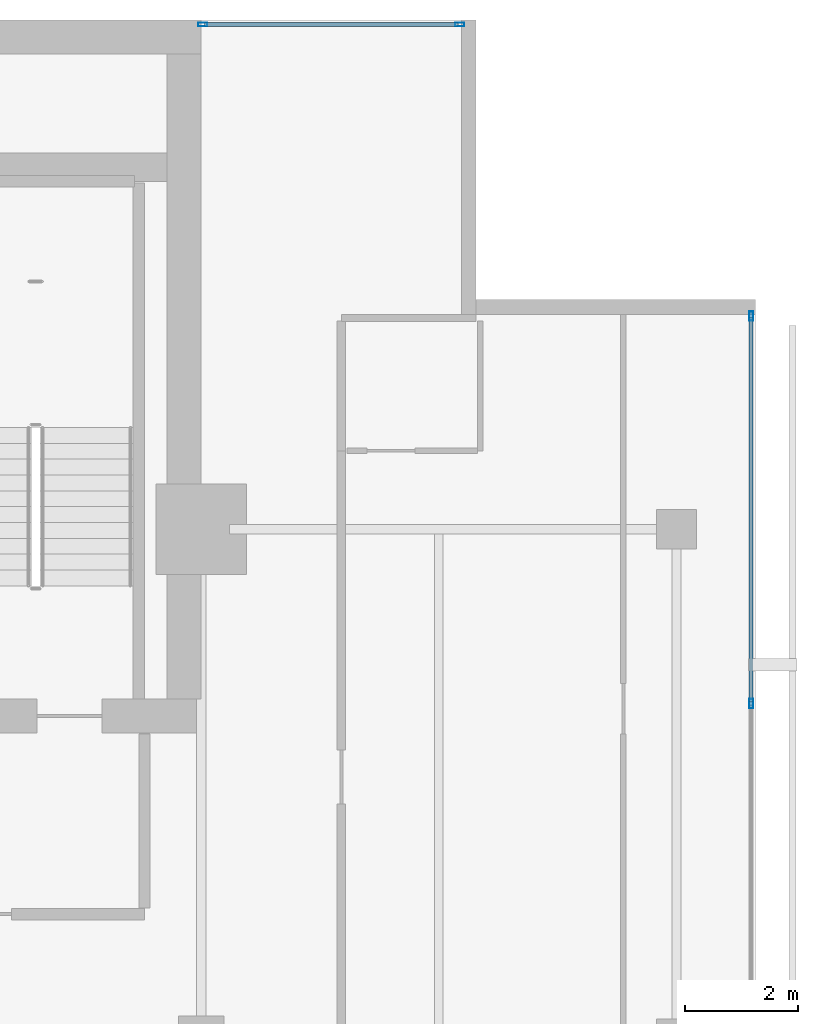
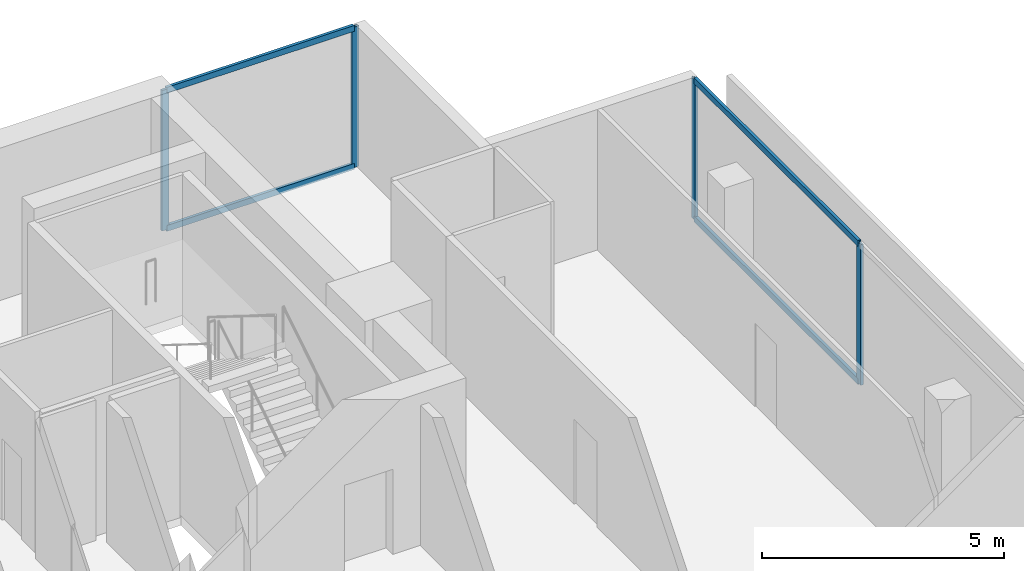
# One storey, part 18 of 26: 8 members, 2 elements without a shape of their own.
"""IFC4 building model written with IfcOpenShell, lengths in metres."""

from ifc_helpers import new_model, si_unit, direction, frame, origin, origin_2d, place, context, subcontext, project, spatial, hollow_rectangle, extrude, material, layer, layer_set, material_profile, profile_set, type_object, element, aggregate, save


model = new_model("IFC4")

# Units and contexts
model_context = context("Model", 3, precision=1e-05, world=origin(), true_north=direction((0.0, 1.0)))
body_context = subcontext(model_context, "Body", "Model", "MODEL_VIEW")
ifc_project = project(units=[si_unit("LENGTHUNIT", "METRE"), si_unit("AREAUNIT", "SQUARE_METRE"), si_unit("VOLUMEUNIT", "CUBIC_METRE"), si_unit("PLANEANGLEUNIT", "RADIAN"), si_unit("MASSUNIT", "GRAM", prefix="KILO")], contexts=[model_context])

# Site, building, storey
site_placement = place(None, origin())
site = spatial("IfcSite", under=ifc_project, at=site_placement, CompositionType="ELEMENT")
building_placement = place(site_placement, origin())
building = spatial("IfcBuilding", under=site, at=building_placement, Name="Maruvema Waterfront Hotel and Observation Tower", CompositionType="ELEMENT")
storey_placement = place(building_placement, frame((0.0, 0.0, 312.550048828125)))
storey = spatial("IfcBuildingStorey", under=building, at=storey_placement, Name="L77", CompositionType="ELEMENT", Elevation=312.550048828125)

# Curtain wall, members
ifc_material_1 = material(Name="Anodised bronze aluminium and solar-control low-E IGU", Category="aluminium")
ifc_layer = layer(ifc_material_1, 0.159912109375, Name="Zone 3 Champagne Inner Thermal Curtain Wall System CW-04")
ifc_layer_set = layer_set([ifc_layer], Name="Anodised bronze aluminium and solar-control low-E IGU")
curtain_wall_type = type_object("IfcCurtainWallType", Name="Zone 3 Champagne Inner Thermal Curtain Wall System CW-04", PredefinedType="USERDEFINED", material=ifc_layer_set)
curtain_wall_1_placement = place(storey_placement, origin())
curtain_wall_1 = element("IfcCurtainWall", 1, at=curtain_wall_1_placement, inside=storey, type_object=curtain_wall_type, Name="L77 Curtain Wall CW-L77-E", ObjectType="UNITISED CURTAIN WALL", PredefinedType="USERDEFINED")
ifc_material_2 = material(Name="Anodised architectural bronze aluminium", Category="aluminium")
ifc_material_profile_1 = material_profile(ifc_material_2, hollow_rectangle(XDim=0.070068359375, YDim=0.14990234375, WallThickness=0.00390625, at=origin_2d()), Name="ALU-T70x150")
ifc_profile_set_1 = profile_set([ifc_material_profile_1], Name="Anodised architectural bronze aluminium")
member_type_1 = type_object("IfcMemberType", Name="Curtain Wall Horizontal Transom ALU-T70x150", PredefinedType="USERDEFINED", material=ifc_profile_set_1)
member_1_placement = place(storey_placement, frame((60.1201171875, 41.949951171875, 0.030029296875), z_axis=(0.0, 1.0, 0.0), x_axis=(-1.0, 0.0, 0.0)))
member_1 = element("IfcMember", 2, at=member_1_placement, type_object=member_type_1, Name="CW-04 transom 5.1", ObjectType="TRANSOM", PredefinedType="USERDEFINED", context=body_context, shape_type="SweptSolid", body=[
    extrude(hollow_rectangle(XDim=0.070068359375, YDim=0.14990234375, WallThickness=0.00390625, at=origin_2d()), origin(), (0.0, 0.0, 1.0), 6.7900390625),
])
member_2_placement = place(storey_placement, frame((60.1201171875, 41.949951171875, 3.52001953125), z_axis=(0.0, 1.0, 0.0), x_axis=(-1.0, 0.0, 0.0)))
member_2 = element("IfcMember", 3, at=member_2_placement, type_object=member_type_1, Name="CW-04 transom 5.2", ObjectType="TRANSOM", PredefinedType="USERDEFINED", context=body_context, shape_type="SweptSolid", body=[
    extrude(hollow_rectangle(XDim=0.070068359375, YDim=0.14990234375, WallThickness=0.00390625, at=origin_2d()), origin(), (0.0, 0.0, 1.0), 6.7900390625),
])

curtain_wall_2_placement = place(storey_placement, origin())
curtain_wall_2 = element("IfcCurtainWall", 4, at=curtain_wall_2_placement, inside=storey, type_object=curtain_wall_type, Name="L77 Curtain Wall CW-L77-NE", ObjectType="UNITISED CURTAIN WALL", PredefinedType="USERDEFINED")
member_3_placement = place(storey_placement, frame((54.93994140625, 53.919921875, 0.030029296875), z_axis=(-1.0, 0.0, 0.0), x_axis=(0.0, -1.0, 0.0)))
member_3 = element("IfcMember", 5, at=member_3_placement, type_object=member_type_1, Name="CW-04 transom 1.1", ObjectType="TRANSOM", PredefinedType="USERDEFINED", context=body_context, shape_type="SweptSolid", body=[
    extrude(hollow_rectangle(XDim=0.070068359375, YDim=0.14990234375, WallThickness=0.00390625, at=origin_2d()), origin(), (0.0, 0.0, 1.0), 4.47998046875),
])
member_4_placement = place(storey_placement, frame((54.93994140625, 53.919921875, 3.52001953125), z_axis=(-1.0, 0.0, 0.0), x_axis=(0.0, -1.0, 0.0)))
member_4 = element("IfcMember", 6, at=member_4_placement, type_object=member_type_1, Name="CW-04 transom 1.2", ObjectType="TRANSOM", PredefinedType="USERDEFINED", context=body_context, shape_type="SweptSolid", body=[
    extrude(hollow_rectangle(XDim=0.070068359375, YDim=0.14990234375, WallThickness=0.00390625, at=origin_2d()), origin(), (0.0, 0.0, 1.0), 4.47998046875),
])

# Member
ifc_material_3 = material(Name="Anodised architectural bronze aluminium", Category="aluminium")
ifc_material_profile_2 = material_profile(ifc_material_3, hollow_rectangle(XDim=0.06494140625, YDim=0.1650390625, WallThickness=0.00390625, at=origin_2d()), Name="ALU-M65x165")
ifc_profile_set_2 = profile_set([ifc_material_profile_2], Name="Anodised architectural bronze aluminium")
member_type_2 = type_object("IfcMemberType", Name="Curtain Wall Primary Mullion ALU-M65x165", PredefinedType="MULLION", material=ifc_profile_set_2)
member_5_placement = place(storey_placement, frame((60.1201171875, 41.919921875, 0.0), z_axis=(0.0, 0.0, 1.0), x_axis=(-1.0, 0.0, 0.0)))
member_5 = element("IfcMember", 7, at=member_5_placement, type_object=member_type_2, Name="CW-04 mullion 5", PredefinedType="MULLION", context=body_context, shape_type="SweptSolid", body=[
    extrude(hollow_rectangle(XDim=0.06494140625, YDim=0.1650390625, WallThickness=0.00390625, at=origin_2d()), origin(), (0.0, 0.0, 1.0), 3.550048828125),
])

member_6_placement = place(storey_placement, frame((60.1201171875, 48.77001953125, 0.0), z_axis=(0.0, 0.0, 1.0), x_axis=(-1.0, 0.0, 0.0)))
member_6 = element("IfcMember", 8, at=member_6_placement, type_object=member_type_2, Name="CW-04 mullion 6", PredefinedType="MULLION", context=body_context, shape_type="SweptSolid", body=[
    extrude(hollow_rectangle(XDim=0.06494140625, YDim=0.1650390625, WallThickness=0.00390625, at=origin_2d()), origin(), (0.0, 0.0, 1.0), 3.550048828125),
])

aggregate(curtain_wall_1, [member_5, member_6, member_1, member_2])

member_7_placement = place(storey_placement, frame((54.969970703125, 53.919921875, 0.0), z_axis=(0.0, 0.0, 1.0), x_axis=(0.0, -1.0, 0.0)))
member_7 = element("IfcMember", 9, at=member_7_placement, type_object=member_type_2, Name="CW-04 mullion 1", PredefinedType="MULLION", context=body_context, shape_type="SweptSolid", body=[
    extrude(hollow_rectangle(XDim=0.06494140625, YDim=0.1650390625, WallThickness=0.00390625, at=origin_2d()), origin(), (0.0, 0.0, 1.0), 3.550048828125),
])

member_8_placement = place(storey_placement, frame((50.429931640625, 53.919921875, 0.0), z_axis=(0.0, 0.0, 1.0), x_axis=(0.0, -1.0, 0.0)))
member_8 = element("IfcMember", 10, at=member_8_placement, type_object=member_type_2, Name="CW-04 mullion 2", PredefinedType="MULLION", context=body_context, shape_type="SweptSolid", body=[
    extrude(hollow_rectangle(XDim=0.06494140625, YDim=0.1650390625, WallThickness=0.00390625, at=origin_2d()), origin(), (0.0, 0.0, 1.0), 3.550048828125),
])

aggregate(curtain_wall_2, [member_7, member_8, member_3, member_4])

save(model, "model.ifc")
